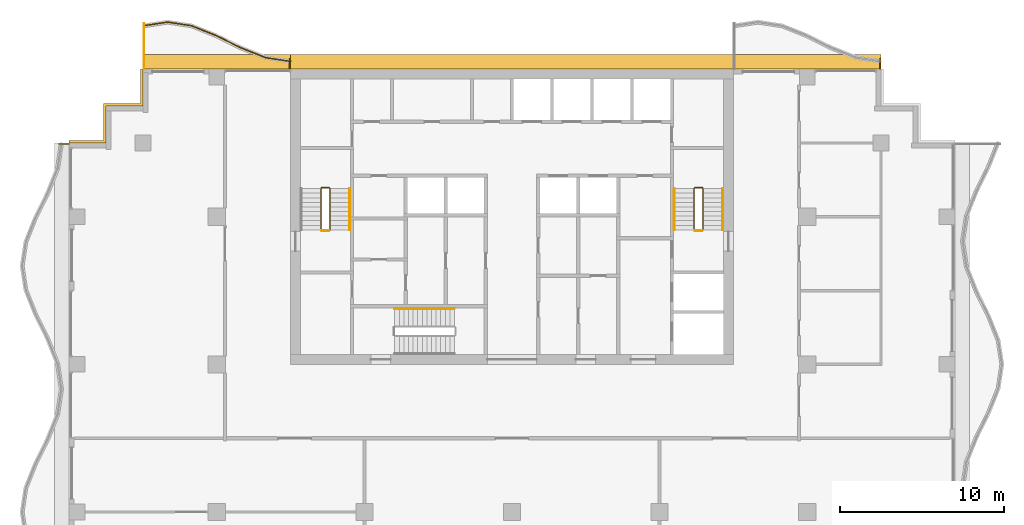
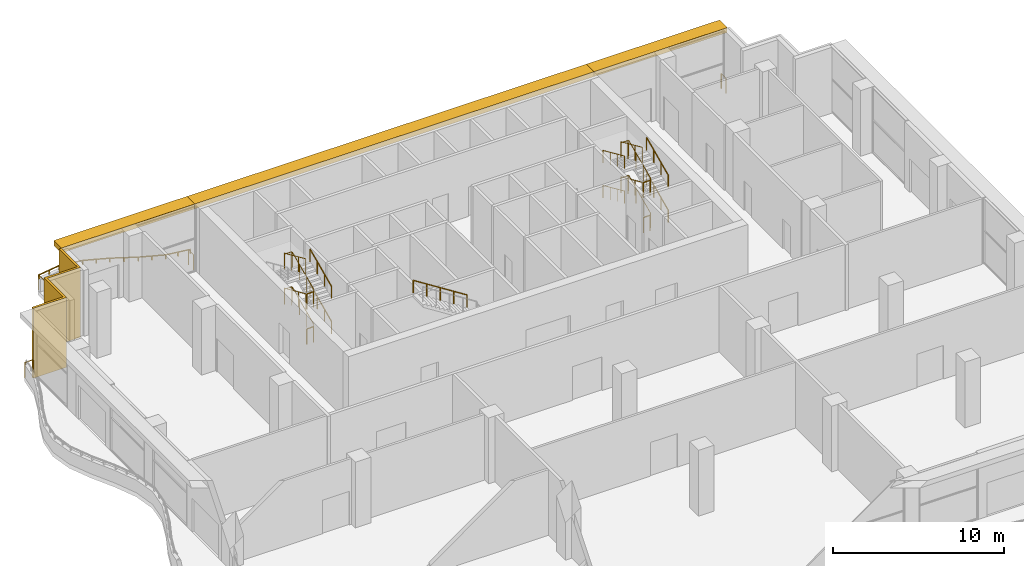
# One storey, part 14 of 15: 20 railings, 4 shading devices.
"""IFC4 building model written with IfcOpenShell, lengths in metres."""

from ifc_helpers import new_model, si_unit, direction, frame, origin, origin_2d, place, context, subcontext, project, spatial, polyline, rectangle, circle, outline, extrude, material, layer, layer_set, type_object, element, save


model = new_model("IFC4")

# Units and contexts
model_context = context("Model", 3, precision=1e-05, world=origin(), true_north=direction((0.0, 1.0)))
body_context = subcontext(model_context, "Body", "Model", "MODEL_VIEW")
ifc_project = project(units=[si_unit("LENGTHUNIT", "METRE"), si_unit("AREAUNIT", "SQUARE_METRE"), si_unit("VOLUMEUNIT", "CUBIC_METRE"), si_unit("PLANEANGLEUNIT", "RADIAN"), si_unit("MASSUNIT", "GRAM", prefix="KILO")], contexts=[model_context])

# Site, building, storey
site_placement = place(None, origin())
site = spatial("IfcSite", under=ifc_project, at=site_placement, CompositionType="ELEMENT")
building_placement = place(site_placement, origin())
building = spatial("IfcBuilding", under=site, at=building_placement, Name="Orbiselva Terraces", CompositionType="ELEMENT")
storey_placement = place(building_placement, frame((0.0, 0.0, 233.8)))
storey = spatial("IfcBuildingStorey", under=building, at=storey_placement, Name="L59", CompositionType="ELEMENT", Elevation=233.8)

# Railings
ifc_material_1 = material(Name="Stainless steel", Category="steel")
railing_type_1 = type_object("IfcRailingType", Name="CORE-GUARD-1100", PredefinedType="GUARDRAIL", material=ifc_material_1)
railing_1_placement = place(storey_placement, frame((-11.1, 12.7, 0.125)))
element("IfcRailing", 1, at=railing_1_placement, inside=storey, type_object=railing_type_1, Name="L59 S1 stair guard 1", PredefinedType="GUARDRAIL", context=body_context, shape_type="SweptSolid", body=[
    extrude(circle(Radius=0.024, at=origin_2d()), frame((0.0, 0.0, 1.081), z_axis=(0.0, 0.913137882438, 0.407650840374), x_axis=(-1.0, 0.0, 0.0)), (0.0, 0.0, 1.0), 2.759715),
    extrude(circle(Radius=0.024, at=origin_2d()), frame((0.0, 2.52, 2.206), z_axis=(-0.707106781187, 0.707106781187, 0.0), x_axis=(-0.707106781187, -0.707106781187, 0.0)), (0.0, 0.0, 1.0), 0.070711),
    extrude(circle(Radius=0.024, at=origin_2d()), frame((-0.05, 2.57, 2.206), z_axis=(-1.0, 0.0, 0.0), x_axis=(0.0, -1.0, 0.0)), (0.0, 0.0, 1.0), 0.45),
    extrude(circle(Radius=0.024, at=origin_2d()), frame((-0.5, 2.57, 2.206), z_axis=(-0.348155311911, -0.348155311911, 0.870388279778), x_axis=(0.707106781187, -0.707106781187, 0.0)), (0.0, 0.0, 1.0), 0.143614),
    extrude(circle(Radius=0.024, at=origin_2d()), frame((-0.55, 2.52, 2.331), z_axis=(0.0, -0.913137882438, 0.407650840374), x_axis=(1.0, 0.0, 0.0)), (0.0, 0.0, 1.0), 2.759715),
    extrude(circle(Radius=0.021, at=origin_2d()), origin(), (0.0, 0.0, 1.0), 1.057),
    extrude(circle(Radius=0.021, at=origin_2d()), frame((0.0, 0.84, 0.375)), (0.0, 0.0, 1.0), 1.057),
    extrude(circle(Radius=0.021, at=origin_2d()), frame((0.0, 1.68, 0.75)), (0.0, 0.0, 1.0), 1.057),
    extrude(circle(Radius=0.021, at=origin_2d()), frame((0.0, 2.52, 1.125)), (0.0, 0.0, 1.0), 1.057),
    extrude(circle(Radius=0.021, at=origin_2d()), frame((-0.05, 2.57, 1.125)), (0.0, 0.0, 1.0), 1.057),
    extrude(circle(Radius=0.021, at=origin_2d()), frame((-0.5, 2.57, 1.125)), (0.0, 0.0, 1.0), 1.057),
    extrude(circle(Radius=0.021, at=origin_2d()), frame((-0.55, 2.52, 1.25)), (0.0, 0.0, 1.0), 1.057),
    extrude(circle(Radius=0.021, at=origin_2d()), frame((-0.55, 1.68, 1.625)), (0.0, 0.0, 1.0), 1.057),
    extrude(circle(Radius=0.021, at=origin_2d()), frame((-0.55, 0.84, 2.0)), (0.0, 0.0, 1.0), 1.057),
    extrude(circle(Radius=0.021, at=origin_2d()), frame((-0.55, 0.0, 2.375)), (0.0, 0.0, 1.0), 1.057),
])
railing_2_placement = place(storey_placement, frame((-11.15, 12.65, 2.5)))
element("IfcRailing", 2, at=railing_2_placement, inside=storey, type_object=railing_type_1, Name="L59 S1 stair guard 2", PredefinedType="GUARDRAIL", context=body_context, shape_type="SweptSolid", body=[
    extrude(circle(Radius=0.024, at=origin_2d()), frame((0.0, 0.0, 1.081), z_axis=(-1.0, 0.0, 0.0), x_axis=(0.0, -1.0, 0.0)), (0.0, 0.0, 1.0), 0.45),
    extrude(circle(Radius=0.021, at=origin_2d()), origin(), (0.0, 0.0, 1.0), 1.057),
    extrude(circle(Radius=0.021, at=origin_2d()), frame((-0.45, 0.0, 0.0)), (0.0, 0.0, 1.0), 1.057),
])
railing_3_placement = place(storey_placement, frame((-11.1, 12.7, 2.625)))
element("IfcRailing", 3, at=railing_3_placement, inside=storey, type_object=railing_type_1, Name="L59 S1 stair guard 3", PredefinedType="GUARDRAIL", context=body_context, shape_type="SweptSolid", body=[
    extrude(circle(Radius=0.024, at=origin_2d()), frame((0.0, 0.0, 1.081), z_axis=(0.0, 0.913137882438, 0.407650840374), x_axis=(-1.0, 0.0, 0.0)), (0.0, 0.0, 1.0), 2.759715),
    extrude(circle(Radius=0.024, at=origin_2d()), frame((0.0, 2.52, 2.206), z_axis=(-0.707106781187, 0.707106781187, 0.0), x_axis=(-0.707106781187, -0.707106781187, 0.0)), (0.0, 0.0, 1.0), 0.070711),
    extrude(circle(Radius=0.024, at=origin_2d()), frame((-0.05, 2.57, 2.206), z_axis=(-1.0, 0.0, 0.0), x_axis=(0.0, -1.0, 0.0)), (0.0, 0.0, 1.0), 0.45),
    extrude(circle(Radius=0.024, at=origin_2d()), frame((-0.5, 2.57, 2.206), z_axis=(-0.348155311911, -0.348155311911, 0.870388279778), x_axis=(0.707106781187, -0.707106781187, 0.0)), (0.0, 0.0, 1.0), 0.143614),
    extrude(circle(Radius=0.024, at=origin_2d()), frame((-0.55, 2.52, 2.331), z_axis=(0.0, -0.913137882438, 0.407650840374), x_axis=(1.0, 0.0, 0.0)), (0.0, 0.0, 1.0), 2.759715),
    extrude(circle(Radius=0.021, at=origin_2d()), origin(), (0.0, 0.0, 1.0), 1.057),
    extrude(circle(Radius=0.021, at=origin_2d()), frame((0.0, 0.84, 0.375)), (0.0, 0.0, 1.0), 1.057),
    extrude(circle(Radius=0.021, at=origin_2d()), frame((0.0, 1.68, 0.75)), (0.0, 0.0, 1.0), 1.057),
    extrude(circle(Radius=0.021, at=origin_2d()), frame((0.0, 2.52, 1.125)), (0.0, 0.0, 1.0), 1.057),
    extrude(circle(Radius=0.021, at=origin_2d()), frame((-0.05, 2.57, 1.125)), (0.0, 0.0, 1.0), 1.057),
    extrude(circle(Radius=0.021, at=origin_2d()), frame((-0.5, 2.57, 1.125)), (0.0, 0.0, 1.0), 1.057),
    extrude(circle(Radius=0.021, at=origin_2d()), frame((-0.55, 2.52, 1.25)), (0.0, 0.0, 1.0), 1.057),
    extrude(circle(Radius=0.021, at=origin_2d()), frame((-0.55, 1.68, 1.625)), (0.0, 0.0, 1.0), 1.057),
    extrude(circle(Radius=0.021, at=origin_2d()), frame((-0.55, 0.84, 2.0)), (0.0, 0.0, 1.0), 1.057),
    extrude(circle(Radius=0.021, at=origin_2d()), frame((-0.55, 0.0, 2.375)), (0.0, 0.0, 1.0), 1.057),
])
railing_4_placement = place(storey_placement, frame((-11.15, 12.65, 0.0)))
element("IfcRailing", 4, at=railing_4_placement, inside=storey, type_object=railing_type_1, Name="L59 S1 stair guard 4", PredefinedType="GUARDRAIL", context=body_context, shape_type="SweptSolid", body=[
    extrude(circle(Radius=0.024, at=origin_2d()), frame((0.0, 0.0, 1.081), z_axis=(-1.0, 0.0, 0.0), x_axis=(0.0, -1.0, 0.0)), (0.0, 0.0, 1.0), 0.45),
    extrude(circle(Radius=0.021, at=origin_2d()), origin(), (0.0, 0.0, 1.0), 1.057),
    extrude(circle(Radius=0.021, at=origin_2d()), frame((-0.45, 0.0, 0.0)), (0.0, 0.0, 1.0), 1.057),
])
railing_5_placement = place(storey_placement, frame((11.65, 12.7, 0.125)))
element("IfcRailing", 5, at=railing_5_placement, inside=storey, type_object=railing_type_1, Name="L59 S2 stair guard 1", PredefinedType="GUARDRAIL", context=body_context, shape_type="SweptSolid", body=[
    extrude(circle(Radius=0.024, at=origin_2d()), frame((0.0, 0.0, 1.081), z_axis=(0.0, 0.913137882438, 0.407650840374), x_axis=(-1.0, 0.0, 0.0)), (0.0, 0.0, 1.0), 2.759715),
    extrude(circle(Radius=0.024, at=origin_2d()), frame((0.0, 2.52, 2.206), z_axis=(-0.707106781187, 0.707106781187, 0.0), x_axis=(-0.707106781187, -0.707106781187, 0.0)), (0.0, 0.0, 1.0), 0.070711),
    extrude(circle(Radius=0.024, at=origin_2d()), frame((-0.05, 2.57, 2.206), z_axis=(-1.0, 0.0, 0.0), x_axis=(0.0, -1.0, 0.0)), (0.0, 0.0, 1.0), 0.45),
    extrude(circle(Radius=0.024, at=origin_2d()), frame((-0.5, 2.57, 2.206), z_axis=(-0.348155311911, -0.348155311911, 0.870388279778), x_axis=(0.707106781187, -0.707106781187, 0.0)), (0.0, 0.0, 1.0), 0.143614),
    extrude(circle(Radius=0.024, at=origin_2d()), frame((-0.55, 2.52, 2.331), z_axis=(0.0, -0.913137882438, 0.407650840374), x_axis=(1.0, 0.0, 0.0)), (0.0, 0.0, 1.0), 2.759715),
    extrude(circle(Radius=0.021, at=origin_2d()), origin(), (0.0, 0.0, 1.0), 1.057),
    extrude(circle(Radius=0.021, at=origin_2d()), frame((0.0, 0.84, 0.375)), (0.0, 0.0, 1.0), 1.057),
    extrude(circle(Radius=0.021, at=origin_2d()), frame((0.0, 1.68, 0.75)), (0.0, 0.0, 1.0), 1.057),
    extrude(circle(Radius=0.021, at=origin_2d()), frame((0.0, 2.52, 1.125)), (0.0, 0.0, 1.0), 1.057),
    extrude(circle(Radius=0.021, at=origin_2d()), frame((-0.05, 2.57, 1.125)), (0.0, 0.0, 1.0), 1.057),
    extrude(circle(Radius=0.021, at=origin_2d()), frame((-0.5, 2.57, 1.125)), (0.0, 0.0, 1.0), 1.057),
    extrude(circle(Radius=0.021, at=origin_2d()), frame((-0.55, 2.52, 1.25)), (0.0, 0.0, 1.0), 1.057),
    extrude(circle(Radius=0.021, at=origin_2d()), frame((-0.55, 1.68, 1.625)), (0.0, 0.0, 1.0), 1.057),
    extrude(circle(Radius=0.021, at=origin_2d()), frame((-0.55, 0.84, 2.0)), (0.0, 0.0, 1.0), 1.057),
    extrude(circle(Radius=0.021, at=origin_2d()), frame((-0.55, 0.0, 2.375)), (0.0, 0.0, 1.0), 1.057),
])
railing_6_placement = place(storey_placement, frame((11.6, 12.65, 2.5)))
element("IfcRailing", 6, at=railing_6_placement, inside=storey, type_object=railing_type_1, Name="L59 S2 stair guard 2", PredefinedType="GUARDRAIL", context=body_context, shape_type="SweptSolid", body=[
    extrude(circle(Radius=0.024, at=origin_2d()), frame((0.0, 0.0, 1.081), z_axis=(-1.0, 0.0, 0.0), x_axis=(0.0, -1.0, 0.0)), (0.0, 0.0, 1.0), 0.45),
    extrude(circle(Radius=0.021, at=origin_2d()), origin(), (0.0, 0.0, 1.0), 1.057),
    extrude(circle(Radius=0.021, at=origin_2d()), frame((-0.45, 0.0, 0.0)), (0.0, 0.0, 1.0), 1.057),
])
railing_7_placement = place(storey_placement, frame((11.65, 12.7, 2.625)))
element("IfcRailing", 7, at=railing_7_placement, inside=storey, type_object=railing_type_1, Name="L59 S2 stair guard 3", PredefinedType="GUARDRAIL", context=body_context, shape_type="SweptSolid", body=[
    extrude(circle(Radius=0.024, at=origin_2d()), frame((0.0, 0.0, 1.081), z_axis=(0.0, 0.913137882438, 0.407650840374), x_axis=(-1.0, 0.0, 0.0)), (0.0, 0.0, 1.0), 2.759715),
    extrude(circle(Radius=0.024, at=origin_2d()), frame((0.0, 2.52, 2.206), z_axis=(-0.707106781187, 0.707106781187, 0.0), x_axis=(-0.707106781187, -0.707106781187, 0.0)), (0.0, 0.0, 1.0), 0.070711),
    extrude(circle(Radius=0.024, at=origin_2d()), frame((-0.05, 2.57, 2.206), z_axis=(-1.0, 0.0, 0.0), x_axis=(0.0, -1.0, 0.0)), (0.0, 0.0, 1.0), 0.45),
    extrude(circle(Radius=0.024, at=origin_2d()), frame((-0.5, 2.57, 2.206), z_axis=(-0.348155311911, -0.348155311911, 0.870388279778), x_axis=(0.707106781187, -0.707106781187, 0.0)), (0.0, 0.0, 1.0), 0.143614),
    extrude(circle(Radius=0.024, at=origin_2d()), frame((-0.55, 2.52, 2.331), z_axis=(0.0, -0.913137882438, 0.407650840374), x_axis=(1.0, 0.0, 0.0)), (0.0, 0.0, 1.0), 2.759715),
    extrude(circle(Radius=0.021, at=origin_2d()), origin(), (0.0, 0.0, 1.0), 1.057),
    extrude(circle(Radius=0.021, at=origin_2d()), frame((0.0, 0.84, 0.375)), (0.0, 0.0, 1.0), 1.057),
    extrude(circle(Radius=0.021, at=origin_2d()), frame((0.0, 1.68, 0.75)), (0.0, 0.0, 1.0), 1.057),
    extrude(circle(Radius=0.021, at=origin_2d()), frame((0.0, 2.52, 1.125)), (0.0, 0.0, 1.0), 1.057),
    extrude(circle(Radius=0.021, at=origin_2d()), frame((-0.05, 2.57, 1.125)), (0.0, 0.0, 1.0), 1.057),
    extrude(circle(Radius=0.021, at=origin_2d()), frame((-0.5, 2.57, 1.125)), (0.0, 0.0, 1.0), 1.057),
    extrude(circle(Radius=0.021, at=origin_2d()), frame((-0.55, 2.52, 1.25)), (0.0, 0.0, 1.0), 1.057),
    extrude(circle(Radius=0.021, at=origin_2d()), frame((-0.55, 1.68, 1.625)), (0.0, 0.0, 1.0), 1.057),
    extrude(circle(Radius=0.021, at=origin_2d()), frame((-0.55, 0.84, 2.0)), (0.0, 0.0, 1.0), 1.057),
    extrude(circle(Radius=0.021, at=origin_2d()), frame((-0.55, 0.0, 2.375)), (0.0, 0.0, 1.0), 1.057),
])
railing_8_placement = place(storey_placement, frame((11.6, 12.65, 0.0)))
element("IfcRailing", 8, at=railing_8_placement, inside=storey, type_object=railing_type_1, Name="L59 S2 stair guard 4", PredefinedType="GUARDRAIL", context=body_context, shape_type="SweptSolid", body=[
    extrude(circle(Radius=0.024, at=origin_2d()), frame((0.0, 0.0, 1.081), z_axis=(-1.0, 0.0, 0.0), x_axis=(0.0, -1.0, 0.0)), (0.0, 0.0, 1.0), 0.45),
    extrude(circle(Radius=0.021, at=origin_2d()), origin(), (0.0, 0.0, 1.0), 1.057),
    extrude(circle(Radius=0.021, at=origin_2d()), frame((-0.45, 0.0, 0.0)), (0.0, 0.0, 1.0), 1.057),
])
railing_type_2 = type_object("IfcRailingType", Name="CORE-HANDRAIL-900", PredefinedType="HANDRAIL", material=ifc_material_1)
for number, where, name in (
    (9, (-9.9, 12.7, 0.125), "L59 S1 stair handrail 1"),
    (10, (-9.9, 12.7, 2.625), "L59 S1 stair handrail 3"),
    (11, (12.85, 12.7, 0.125), "L59 S2 stair handrail 1"),
):
    element("IfcRailing", number, at=place(storey_placement, frame(where)), inside=storey, type_object=railing_type_2, Name=name, PredefinedType="HANDRAIL", context=body_context, shape_type="SweptSolid", body=[
        extrude(circle(Radius=0.024, at=origin_2d()), frame((0.0, 0.0, 0.876), z_axis=(0.0, 0.913137882438, 0.407650840374), x_axis=(-1.0, 0.0, 0.0)), (0.0, 0.0, 1.0), 2.759715),
        extrude(circle(Radius=0.021, at=origin_2d()), origin(), (0.0, 0.0, 1.0), 0.852),
        extrude(circle(Radius=0.021, at=origin_2d()), frame((0.0, 0.84, 0.375)), (0.0, 0.0, 1.0), 0.852),
        extrude(circle(Radius=0.021, at=origin_2d()), frame((0.0, 1.68, 0.75)), (0.0, 0.0, 1.0), 0.852),
        extrude(circle(Radius=0.021, at=origin_2d()), frame((0.0, 2.52, 1.125)), (0.0, 0.0, 1.0), 0.852),
    ])
railing_9_placement = place(storey_placement, frame((9.9, 15.22, 1.375)))
element("IfcRailing", 12, at=railing_9_placement, inside=storey, type_object=railing_type_2, Name="L59 S2 stair handrail 2", PredefinedType="HANDRAIL", context=body_context, shape_type="SweptSolid", body=[
    extrude(circle(Radius=0.024, at=origin_2d()), frame((0.0, 0.0, 0.876), z_axis=(0.0, -0.913137882438, 0.407650840374), x_axis=(1.0, 0.0, 0.0)), (0.0, 0.0, 1.0), 2.759715),
    extrude(circle(Radius=0.021, at=origin_2d()), origin(), (0.0, 0.0, 1.0), 0.852),
    extrude(circle(Radius=0.021, at=origin_2d()), frame((0.0, -0.84, 0.375)), (0.0, 0.0, 1.0), 0.852),
    extrude(circle(Radius=0.021, at=origin_2d()), frame((0.0, -1.68, 0.75)), (0.0, 0.0, 1.0), 0.852),
    extrude(circle(Radius=0.021, at=origin_2d()), frame((0.0, -2.52, 1.125)), (0.0, 0.0, 1.0), 0.852),
])
railing_10_placement = place(storey_placement, frame((12.85, 12.7, 2.625)))
element("IfcRailing", 13, at=railing_10_placement, inside=storey, type_object=railing_type_2, Name="L59 S2 stair handrail 3", PredefinedType="HANDRAIL", context=body_context, shape_type="SweptSolid", body=[
    extrude(circle(Radius=0.024, at=origin_2d()), frame((0.0, 0.0, 0.876), z_axis=(0.0, 0.913137882438, 0.407650840374), x_axis=(-1.0, 0.0, 0.0)), (0.0, 0.0, 1.0), 2.759715),
    extrude(circle(Radius=0.021, at=origin_2d()), origin(), (0.0, 0.0, 1.0), 0.852),
    extrude(circle(Radius=0.021, at=origin_2d()), frame((0.0, 0.84, 0.375)), (0.0, 0.0, 1.0), 0.852),
    extrude(circle(Radius=0.021, at=origin_2d()), frame((0.0, 1.68, 0.75)), (0.0, 0.0, 1.0), 0.852),
    extrude(circle(Radius=0.021, at=origin_2d()), frame((0.0, 2.52, 1.125)), (0.0, 0.0, 1.0), 0.852),
])
railing_11_placement = place(storey_placement, frame((9.9, 15.22, 3.875)))
element("IfcRailing", 14, at=railing_11_placement, inside=storey, type_object=railing_type_2, Name="L59 S2 stair handrail 4", PredefinedType="HANDRAIL", context=body_context, shape_type="SweptSolid", body=[
    extrude(circle(Radius=0.024, at=origin_2d()), frame((0.0, 0.0, 0.876), z_axis=(0.0, -0.913137882438, 0.407650840374), x_axis=(1.0, 0.0, 0.0)), (0.0, 0.0, 1.0), 2.759715),
    extrude(circle(Radius=0.021, at=origin_2d()), origin(), (0.0, 0.0, 1.0), 0.852),
    extrude(circle(Radius=0.021, at=origin_2d()), frame((0.0, -0.84, 0.375)), (0.0, 0.0, 1.0), 0.852),
    extrude(circle(Radius=0.021, at=origin_2d()), frame((0.0, -1.68, 0.75)), (0.0, 0.0, 1.0), 0.852),
    extrude(circle(Radius=0.021, at=origin_2d()), frame((0.0, -2.52, 1.125)), (0.0, 0.0, 1.0), 0.852),
])
railing_12_placement = place(storey_placement, frame((-3.51, 7.9, 2.678571)))
element("IfcRailing", 15, at=railing_12_placement, inside=storey, type_object=railing_type_2, Name="L59 S3 stair handrail 2", PredefinedType="HANDRAIL", context=body_context, shape_type="SweptSolid", body=[
    extrude(circle(Radius=0.024, at=origin_2d()), frame((0.0, 0.0, 0.876), z_axis=(-0.843129645223, 0.0, 0.537710332192), x_axis=(0.0, -1.0, 0.0)), (0.0, 0.0, 1.0), 4.317248),
    extrude(circle(Radius=0.021, at=origin_2d()), origin(), (0.0, 0.0, 1.0), 0.852),
    extrude(circle(Radius=0.021, at=origin_2d()), frame((-0.91, 0.0, 0.580357)), (0.0, 0.0, 1.0), 0.852),
    extrude(circle(Radius=0.021, at=origin_2d()), frame((-1.82, 0.0, 1.160715)), (0.0, 0.0, 1.0), 0.852),
    extrude(circle(Radius=0.021, at=origin_2d()), frame((-2.73, 0.0, 1.741072)), (0.0, 0.0, 1.0), 0.852),
    extrude(circle(Radius=0.021, at=origin_2d()), frame((-3.64, 0.0, 2.321429)), (0.0, 0.0, 1.0), 0.852),
])
ifc_material_2 = material(Name="Bonded two-ply safety glass balustrade, stainless steel posts", Category="steel")
railing_type_3 = type_object("IfcRailingType", Name="ENV-BALUSTRADE-1200", PredefinedType="BALUSTRADE", material=ifc_material_2)
railing_13_placement = place(storey_placement, frame((-13.518879, 22.976434, 0.9)))
element("IfcRailing", 16, at=railing_13_placement, inside=storey, type_object=railing_type_3, Name="Balcony balustrade L59 NW", PredefinedType="BALUSTRADE", context=body_context, shape_type="SweptSolid", body=[
    extrude(outline(polyline([(0.028868, 0.0), (0.014434, 0.025), (-0.014434, 0.025), (-0.028868, 0.0), (-0.014434, -0.025), (0.014434, -0.025), (0.028868, 0.0)])), frame((0.0, 0.0, 0.275), z_axis=(-0.988528588529, 0.151033869252, 0.0), x_axis=(-0.151033869252, -0.988528588529, 0.0)), (0.0, 0.0, 1.0), 1.531776),
    extrude(outline(polyline([(0.028868, 0.0), (0.014434, 0.025), (-0.014434, 0.025), (-0.028868, 0.0), (-0.014434, -0.025), (0.014434, -0.025), (0.028868, 0.0)])), frame((-1.514204, 0.23135, 0.275), z_axis=(-0.92847681744, 0.371390359967, 0.0), x_axis=(-0.371390359967, -0.92847681744, 0.0)), (0.0, 0.0, 1.0), 1.634838),
    extrude(outline(polyline([(0.028868, 0.0), (0.014434, 0.025), (-0.014434, 0.025), (-0.028868, 0.0), (-0.014434, -0.025), (0.014434, -0.025), (0.028868, 0.0)])), frame((-3.032113, 0.838513, 0.275), z_axis=(-0.896416672454, 0.443212307306, 0.0), x_axis=(-0.443212307306, -0.896416672454, 0.0)), (0.0, 0.0, 1.0), 1.673329),
    extrude(outline(polyline([(0.028868, 0.0), (0.014434, 0.025), (-0.014434, 0.025), (-0.028868, 0.0), (-0.014434, -0.025), (0.014434, -0.025), (0.028868, 0.0)])), frame((-4.532113, 1.580153, 0.275), z_axis=(-0.928476561272, 0.371391000387, 0.0), x_axis=(-0.371391000387, -0.928476561272, 0.0)), (0.0, 0.0, 1.0), 1.596261),
    extrude(outline(polyline([(0.028868, 0.0), (0.014434, 0.025), (-0.014434, 0.025), (-0.028868, 0.0), (-0.014434, -0.025), (0.014434, -0.025), (0.028868, 0.0)])), frame((-6.014204, 2.17299, 0.275), z_axis=(-0.988528606898, 0.151033749027, 0.0), x_axis=(-0.151033749027, -0.988528606898, 0.0)), (0.0, 0.0, 1.0), 1.48394),
    extrude(outline(polyline([(0.028868, 0.0), (0.014434, 0.025), (-0.014434, 0.025), (-0.028868, 0.0), (-0.014434, -0.025), (0.014434, -0.025), (0.028868, 0.0)])), frame((-7.481121, 2.397115, 0.275), z_axis=(-0.988528624669, -0.151033632714, 0.0), x_axis=(0.151033632714, -0.988528624669, 0.0)), (0.0, 0.0, 1.0), 1.498309),
    extrude(rectangle(XDim=0.05, YDim=0.05, at=origin_2d()), origin(), (0.0, 0.0, 1.0), 0.25),
    extrude(rectangle(XDim=0.05, YDim=0.05, at=origin_2d()), frame((-0.757102, 0.115675, 0.0)), (0.0, 0.0, 1.0), 0.25),
    extrude(rectangle(XDim=0.05, YDim=0.05, at=origin_2d()), frame((-1.514204, 0.23135, 0.0)), (0.0, 0.0, 1.0), 0.25),
    extrude(rectangle(XDim=0.05, YDim=0.05, at=origin_2d()), frame((-2.273158, 0.534931, 0.0)), (0.0, 0.0, 1.0), 0.25),
    extrude(rectangle(XDim=0.05, YDim=0.05, at=origin_2d()), frame((-3.032113, 0.838513, 0.0)), (0.0, 0.0, 1.0), 0.25),
    extrude(rectangle(XDim=0.05, YDim=0.05, at=origin_2d()), frame((-3.782113, 1.209333, 0.0)), (0.0, 0.0, 1.0), 0.25),
    extrude(rectangle(XDim=0.05, YDim=0.05, at=origin_2d()), frame((-4.532113, 1.580153, 0.0)), (0.0, 0.0, 1.0), 0.25),
    extrude(rectangle(XDim=0.05, YDim=0.05, at=origin_2d()), frame((-5.273159, 1.876571, 0.0)), (0.0, 0.0, 1.0), 0.25),
    extrude(rectangle(XDim=0.05, YDim=0.05, at=origin_2d()), frame((-6.014204, 2.17299, 0.0)), (0.0, 0.0, 1.0), 0.25),
    extrude(rectangle(XDim=0.05, YDim=0.05, at=origin_2d()), frame((-6.747663, 2.285052, 0.0)), (0.0, 0.0, 1.0), 0.25),
    extrude(rectangle(XDim=0.05, YDim=0.05, at=origin_2d()), frame((-7.481121, 2.397115, 0.0)), (0.0, 0.0, 1.0), 0.25),
    extrude(rectangle(XDim=0.05, YDim=0.05, at=origin_2d()), frame((-8.221682, 2.283967, 0.0)), (0.0, 0.0, 1.0), 0.25),
    extrude(rectangle(XDim=0.05, YDim=0.05, at=origin_2d()), frame((-8.962242, 2.17082, 0.0)), (0.0, 0.0, 1.0), 0.25),
])
ifc_material_3 = material(Name="Stainless steel rail and posts", Category="steel")
railing_type_4 = type_object("IfcRailingType", Name="ENV-GUARD-1105", PredefinedType="BALUSTRADE", material=ifc_material_3)
for number, where, name in (
    (17, (22.44, 23.100379, 0.0), "Balcony end guard L59 NE"),
    (18, (-13.56, 23.100379, 0.0), "Balcony end guard L59 NW"),
):
    element("IfcRailing", number, at=place(storey_placement, frame(where)), inside=storey, type_object=railing_type_4, Name=name, PredefinedType="BALUSTRADE", context=body_context, shape_type="SweptSolid", body=[
        extrude(outline(polyline([(0.028868, 0.0), (0.014434, 0.025), (-0.014434, 0.025), (-0.028868, 0.0), (-0.014434, -0.025), (0.014434, -0.025), (0.028868, 0.0)])), frame((0.0, 0.0, 1.08), z_axis=(0.0, -1.0, 0.0), x_axis=(1.0, 0.0, 0.0)), (0.0, 0.0, 1.0), 0.575379),
        extrude(rectangle(XDim=0.05, YDim=0.05, at=origin_2d()), origin(), (0.0, 0.0, 1.0), 1.055),
        extrude(rectangle(XDim=0.05, YDim=0.05, at=origin_2d()), frame((0.0, -0.575379, 0.0)), (0.0, 0.0, 1.0), 1.055),
    ])
railing_14_placement = place(storey_placement, frame((-22.44, 25.288239, 0.0)))
element("IfcRailing", 19, at=railing_14_placement, inside=storey, type_object=railing_type_4, Name="Balcony end guard L59 NW", PredefinedType="BALUSTRADE", context=body_context, shape_type="SweptSolid", body=[
    extrude(outline(polyline([(0.028868, 0.0), (0.014434, 0.025), (-0.014434, 0.025), (-0.028868, 0.0), (-0.014434, -0.025), (0.014434, -0.025), (0.028868, 0.0)])), frame((0.0, 0.0, 1.08), z_axis=(0.0, -1.0, 0.0), x_axis=(1.0, 0.0, 0.0)), (0.0, 0.0, 1.0), 2.763239),
    extrude(rectangle(XDim=0.05, YDim=0.05, at=origin_2d()), origin(), (0.0, 0.0, 1.0), 1.055),
    extrude(rectangle(XDim=0.05, YDim=0.05, at=origin_2d()), frame((0.0, -0.92108, 0.0)), (0.0, 0.0, 1.0), 1.055),
    extrude(rectangle(XDim=0.05, YDim=0.05, at=origin_2d()), frame((0.0, -1.842159, 0.0)), (0.0, 0.0, 1.0), 1.055),
    extrude(rectangle(XDim=0.05, YDim=0.05, at=origin_2d()), frame((0.0, -2.763239, 0.0)), (0.0, 0.0, 1.0), 1.055),
])
railing_15_placement = place(storey_placement, frame((-27.600379, 17.94, 0.0)))
element("IfcRailing", 20, at=railing_15_placement, inside=storey, type_object=railing_type_4, Name="Balcony end guard L59 W", PredefinedType="BALUSTRADE", context=body_context, shape_type="SweptSolid", body=[
    extrude(outline(polyline([(0.028868, 0.0), (0.014434, 0.025), (-0.014434, 0.025), (-0.028868, 0.0), (-0.014434, -0.025), (0.014434, -0.025), (0.028868, 0.0)])), frame((0.0, 0.0, 1.08), z_axis=(1.0, 0.0, 0.0), x_axis=(0.0, 1.0, 0.0)), (0.0, 0.0, 1.0), 0.575379),
    extrude(rectangle(XDim=0.05, YDim=0.05, at=origin_2d()), origin(), (0.0, 0.0, 1.0), 1.055),
    extrude(rectangle(XDim=0.05, YDim=0.05, at=origin_2d()), frame((0.575379, 0.0, 0.0)), (0.0, 0.0, 1.0), 1.055),
])

# Shading devices
ifc_material_4 = material(Name="Terracotta louvre screen", Category="masonry")
ifc_layer_1 = layer(ifc_material_4, 0.15)
ifc_layer_set_1 = layer_set([ifc_layer_1], Name="Terracotta louvre screen")
shading_device_type_1 = type_object("IfcShadingDeviceType", Name="ENV-SCREEN-150", PredefinedType="USERDEFINED", material=ifc_layer_set_1)
shading_device_1_placement = place(storey_placement, frame((0.0, 0.0, -0.3)))
element("IfcShadingDevice", 21, at=shading_device_1_placement, inside=storey, type_object=shading_device_type_1, Name="Louvre screen L59 NW", ObjectType="SCREEN", PredefinedType="USERDEFINED", context=body_context, shape_type="SweptSolid", body=[
    extrude(outline(polyline([(-22.65, 22.5), (-22.65, 20.4), (-24.9, 20.4), (-24.9, 18.15), (-27.0, 18.15), (-27.0, 18.0), (-24.75, 18.0), (-24.75, 20.25), (-22.5, 20.25), (-22.5, 22.5), (-22.65, 22.5)])), origin(), (0.0, 0.0, 1.0), 5.0),
])
ifc_material_5 = material(Name="Terracotta baguette sunshade", Category="masonry")
ifc_layer_2 = layer(ifc_material_5, 0.35)
ifc_layer_set_2 = layer_set([ifc_layer_2], Name="Terracotta baguette sunshade")
shading_device_type_2 = type_object("IfcShadingDeviceType", Name="ENV-SUNSHADE-900x350", PredefinedType="USERDEFINED", material=ifc_layer_set_2)
shading_device_2_placement = place(storey_placement, frame((0.0, 0.0, 4.35)))
element("IfcShadingDevice", 22, at=shading_device_2_placement, inside=storey, type_object=shading_device_type_2, Name="Sunshade band L59 NE", ObjectType="SUNSHADE", PredefinedType="USERDEFINED", context=body_context, shape_type="SweptSolid", body=[
    extrude(outline(polyline([(22.5, 23.4), (13.5, 23.4), (13.5, 22.5), (22.5, 22.5), (22.5, 23.4)])), origin(), (0.0, 0.0, 1.0), 0.35),
])
shading_device_3_placement = place(storey_placement, frame((0.0, 0.0, 4.35)))
element("IfcShadingDevice", 23, at=shading_device_3_placement, inside=storey, type_object=shading_device_type_2, Name="Sunshade band L59 CORE NORTH", ObjectType="SUNSHADE", PredefinedType="USERDEFINED", context=body_context, shape_type="SweptSolid", body=[
    extrude(outline(polyline([(13.5, 23.4), (-13.5, 23.4), (-13.5, 22.5), (13.5, 22.5), (13.5, 23.4)])), origin(), (0.0, 0.0, 1.0), 0.35),
])
shading_device_4_placement = place(storey_placement, frame((0.0, 0.0, 4.35)))
element("IfcShadingDevice", 24, at=shading_device_4_placement, inside=storey, type_object=shading_device_type_2, Name="Sunshade band L59 NW", ObjectType="SUNSHADE", PredefinedType="USERDEFINED", context=body_context, shape_type="SweptSolid", body=[
    extrude(outline(polyline([(-13.5, 23.4), (-22.5, 23.4), (-22.5, 22.5), (-13.5, 22.5), (-13.5, 23.4)])), origin(), (0.0, 0.0, 1.0), 0.35),
])

save(model, "model.ifc")
